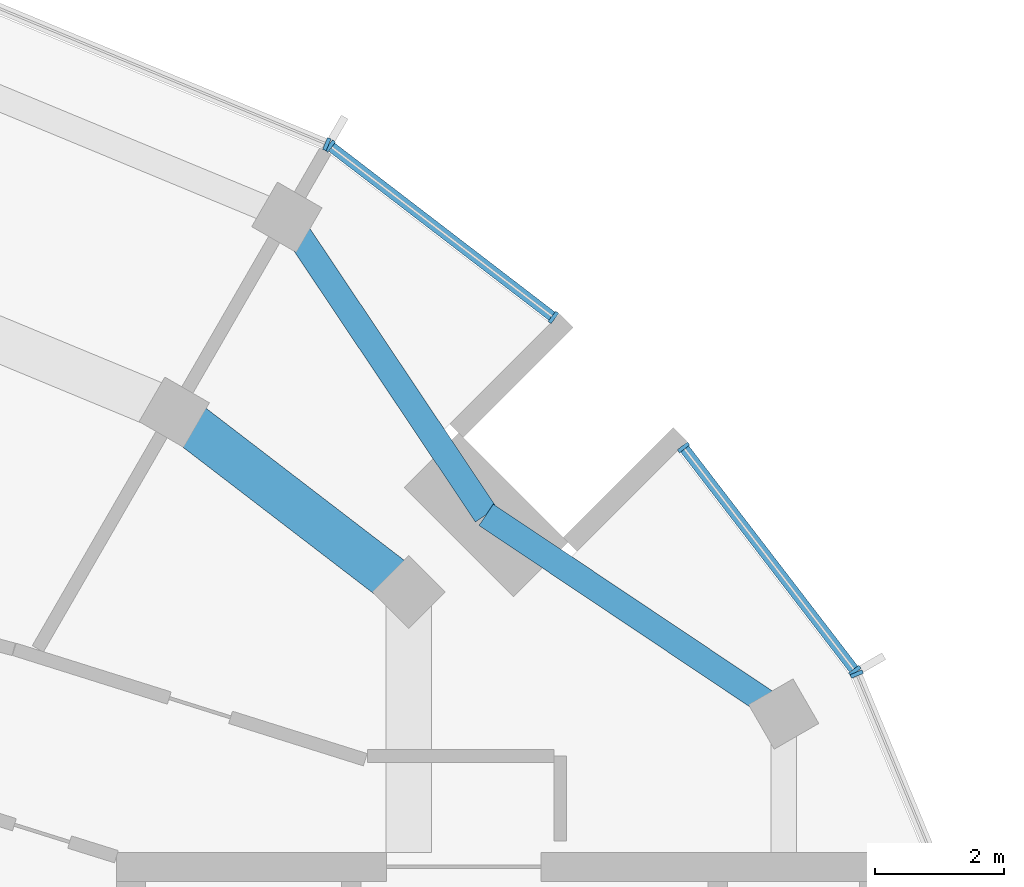
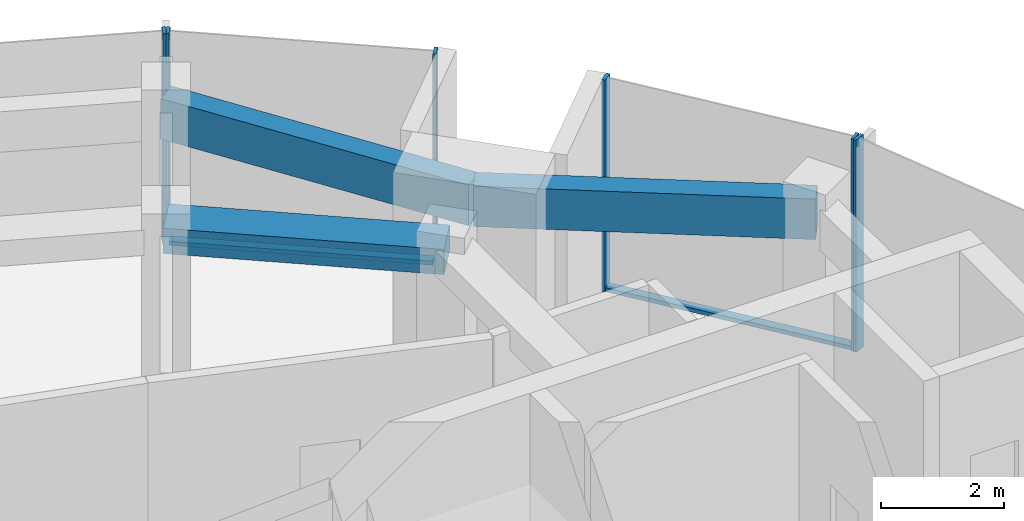
# One storey, part 6 of 13: 8 members, 3 beams, 4 elements without a shape of their own.
"""IFC4 building model written with IfcOpenShell, lengths in metres."""

from ifc_helpers import new_model, si_unit, direction, frame, origin, origin_2d, place, context, subcontext, project, spatial, rectangle, extrude, material, layer, layer_set, material_profile, profile_set, type_object, element, aggregate, save


model = new_model("IFC4")

# Units and contexts
model_context = context("Model", 3, precision=1e-05, world=origin(), true_north=direction((0.0, 1.0)))
body_context = subcontext(model_context, "Body", "Model", "MODEL_VIEW")
ifc_project = project(units=[si_unit("LENGTHUNIT", "METRE"), si_unit("AREAUNIT", "SQUARE_METRE"), si_unit("VOLUMEUNIT", "CUBIC_METRE"), si_unit("PLANEANGLEUNIT", "RADIAN"), si_unit("MASSUNIT", "GRAM", prefix="KILO")], contexts=[model_context])

# Site, building, storey
site_placement = place(None, origin())
site = spatial("IfcSite", under=ifc_project, at=site_placement, CompositionType="ELEMENT")
building_placement = place(site_placement, origin())
building = spatial("IfcBuilding", under=site, at=building_placement, Name="Torre Brocal", CompositionType="ELEMENT")
storey_placement = place(building_placement, frame((0.0, 0.0, 300.89990234375)))
storey = spatial("IfcBuildingStorey", under=building, at=storey_placement, Name="L69", CompositionType="ELEMENT", Elevation=300.89990234375)

# Curtain wall, member
ifc_material_1 = material(Name="Aluminium and glass", Category="aluminium")
ifc_layer = layer(ifc_material_1, 0.199951171875)
ifc_layer_set = layer_set([ifc_layer], Name="Aluminium and glass")
curtain_wall_type = type_object("IfcCurtainWallType", Name="CW-1 CURTAIN WALL 4200 HIGH", PredefinedType="NOTDEFINED", material=ifc_layer_set)
curtain_wall_1_placement = place(storey_placement, origin())
curtain_wall_1 = element("IfcCurtainWall", 1, at=curtain_wall_1_placement, inside=storey, type_object=curtain_wall_type, Name="CW-1 RUN 2", PredefinedType="NOTDEFINED")
ifc_material_2 = material(Name="Aluminium, dark anodised", Category="aluminium")
ifc_material_profile_1 = material_profile(ifc_material_2, rectangle(XDim=0.199951171875, YDim=0.06005859375, at=origin_2d()), Name="CW-1 MULLION 60X200")
ifc_profile_set_1 = profile_set([ifc_material_profile_1], Name="Aluminium, dark anodised")
member_type_1 = type_object("IfcMemberType", Name="CW-1 MULLION 60X200", PredefinedType="MULLION", material=ifc_profile_set_1)
member_1_placement = place(storey_placement, frame((99.40966796875, 86.171875, 0.0), z_axis=(0.0, 0.0, 1.0), x_axis=(-0.923879532545, -0.382683432284, 0.0)))
member_1 = element("IfcMember", 2, at=member_1_placement, type_object=member_type_1, Name="CW1-5 mullion 2", PredefinedType="MULLION", context=body_context, shape_type="SweptSolid", body=[
    extrude(rectangle(XDim=0.199951171875, YDim=0.06005859375, at=origin_2d()), origin(), (0.0, 0.0, 1.0), 4.2001953125),
])
aggregate(curtain_wall_1, [member_1])

# Curtain wall, members
curtain_wall_2_placement = place(storey_placement, origin())
curtain_wall_2 = element("IfcCurtainWall", 3, at=curtain_wall_2_placement, inside=storey, type_object=curtain_wall_type, Name="CW-1 RUN 3", PredefinedType="NOTDEFINED")
member_2_placement = place(storey_placement, frame((99.3798828125, 86.223388671875, 0.0), z_axis=(0.0, 0.0, 1.0), x_axis=(-0.793353340249, -0.608761429064, 0.0)))
member_2 = element("IfcMember", 4, at=member_2_placement, type_object=member_type_1, Name="CW1-5 mullion 1", PredefinedType="MULLION", context=body_context, shape_type="SweptSolid", body=[
    extrude(rectangle(XDim=0.199951171875, YDim=0.06005859375, at=origin_2d()), origin(), (0.0, 0.0, 1.0), 4.2001953125),
])
member_3_placement = place(storey_placement, frame((96.716552734375, 89.694580078125, 0.0), z_axis=(0.0, 0.0, 1.0), x_axis=(-0.793353340249, -0.608761429064, 0.0)))
member_3 = element("IfcMember", 5, at=member_3_placement, type_object=member_type_1, Name="CW1-5 mullion 2", PredefinedType="MULLION", context=body_context, shape_type="SweptSolid", body=[
    extrude(rectangle(XDim=0.199951171875, YDim=0.06005859375, at=origin_2d()), origin(), (0.0, 0.0, 1.0), 4.2001953125),
])

curtain_wall_3_placement = place(storey_placement, origin())
curtain_wall_3 = element("IfcCurtainWall", 6, at=curtain_wall_3_placement, inside=storey, type_object=curtain_wall_type, Name="CW-1 RUN 4", PredefinedType="NOTDEFINED")
member_4_placement = place(storey_placement, frame((94.694580078125, 91.716552734375, 0.0), z_axis=(0.0, 0.0, 1.0), x_axis=(-0.608761429064, -0.793353340249, 0.0)))
member_4 = element("IfcMember", 7, at=member_4_placement, type_object=member_type_1, Name="CW1-5 mullion 1", PredefinedType="MULLION", context=body_context, shape_type="SweptSolid", body=[
    extrude(rectangle(XDim=0.199951171875, YDim=0.06005859375, at=origin_2d()), origin(), (0.0, 0.0, 1.0), 4.2001953125),
])
member_5_placement = place(storey_placement, frame((91.223388671875, 94.3798828125, 0.0), z_axis=(0.0, 0.0, 1.0), x_axis=(-0.608761429064, -0.793353340249, 0.0)))
member_5 = element("IfcMember", 8, at=member_5_placement, type_object=member_type_1, Name="CW1-5 mullion 2", PredefinedType="MULLION", context=body_context, shape_type="SweptSolid", body=[
    extrude(rectangle(XDim=0.199951171875, YDim=0.06005859375, at=origin_2d()), origin(), (0.0, 0.0, 1.0), 4.2001953125),
])

# Curtain wall, member
curtain_wall_4_placement = place(storey_placement, origin())
curtain_wall_4 = element("IfcCurtainWall", 9, at=curtain_wall_4_placement, inside=storey, type_object=curtain_wall_type, Name="CW-1 RUN 5", PredefinedType="NOTDEFINED")
member_6_placement = place(storey_placement, frame((91.171875, 94.40966796875, 0.0), z_axis=(0.0, 0.0, 1.0), x_axis=(-0.382683432284, -0.923879532545, 0.0)))
member_6 = element("IfcMember", 10, at=member_6_placement, type_object=member_type_1, Name="CW1-5 mullion 1", PredefinedType="MULLION", context=body_context, shape_type="SweptSolid", body=[
    extrude(rectangle(XDim=0.199951171875, YDim=0.06005859375, at=origin_2d()), origin(), (0.0, 0.0, 1.0), 4.2001953125),
])
aggregate(curtain_wall_4, [member_6])

# Member
ifc_material_3 = material(Name="Aluminium, dark anodised", Category="aluminium")
ifc_material_profile_2 = material_profile(ifc_material_3, rectangle(XDim=0.159912109375, YDim=0.080078125, at=origin_2d()), Name="CW-1 TRANSOM 160X80")
ifc_profile_set_2 = profile_set([ifc_material_profile_2], Name="Aluminium, dark anodised")
member_type_2 = type_object("IfcMemberType", Name="CW-1 TRANSOM 160X80", PredefinedType="USERDEFINED", material=ifc_profile_set_2)
member_7_placement = place(storey_placement, frame((99.36181640625, 86.2470703125, 0.0400390625), z_axis=(-0.608788976677, 0.793332201462, 0.0), x_axis=(-0.793332201462, -0.608788976677, 0.0)))
member_7 = element("IfcMember", 11, at=member_7_placement, type_object=member_type_2, Name="CW1-5 transom 1.1", ObjectType="TRANSOM", PredefinedType="USERDEFINED", context=body_context, shape_type="SweptSolid", body=[
    extrude(rectangle(XDim=0.159912109375, YDim=0.080078125, at=origin_2d()), origin(), (0.0, 0.0, 1.0), 4.3154296875),
])

aggregate(curtain_wall_2, [member_2, member_3, member_7])

member_8_placement = place(storey_placement, frame((94.670654296875, 91.734619140625, 0.0400390625), z_axis=(-0.793332201462, 0.608788976677, 0.0), x_axis=(-0.608788976677, -0.793332201462, 0.0)))
member_8 = element("IfcMember", 12, at=member_8_placement, type_object=member_type_2, Name="CW1-5 transom 1.1", ObjectType="TRANSOM", PredefinedType="USERDEFINED", context=body_context, shape_type="SweptSolid", body=[
    extrude(rectangle(XDim=0.159912109375, YDim=0.080078125, at=origin_2d()), origin(), (0.0, 0.0, 1.0), 4.3154296875),
])

aggregate(curtain_wall_3, [member_4, member_5, member_8])

# Beams
ifc_material_4 = material(Name="Concrete C50", Category="concrete")
ifc_material_profile_3 = material_profile(ifc_material_4, rectangle(XDim=0.699951171875, YDim=0.5, at=origin_2d()), Name="RC 700X500")
ifc_profile_set_3 = profile_set([ifc_material_profile_3], Name="Concrete C50")
beam_type_1 = type_object("IfcBeamType", Name="RC BEAM 700X500 C50 TOP 3880", PredefinedType="BEAM", material=ifc_profile_set_3)
beam_placement = place(storey_placement, frame((92.445068359375, 87.445068359375, 3.630126953125), z_axis=(-0.793358265959, 0.6087550097, 0.0), x_axis=(-0.6087550097, -0.793358265959, 0.0)))
element("IfcBeam", 13, at=beam_placement, inside=storey, type_object=beam_type_1, Name="Beam BT-37", PredefinedType="BEAM", context=body_context, shape_type="SweptSolid", body=[
    extrude(rectangle(XDim=0.699951171875, YDim=0.5, at=origin_2d()), origin(), (0.0, 0.0, 1.0), 4.594482421875),
])
ifc_material_5 = material(Name="Concrete C50", Category="concrete")
ifc_material_profile_4 = material_profile(ifc_material_5, rectangle(XDim=0.39990234375, YDim=0.800048828125, at=origin_2d()), Name="RC 400X800")
ifc_profile_set_4 = profile_set([ifc_material_profile_4], Name="Concrete C50")
beam_type_2 = type_object("IfcBeamType", Name="RC SPANDREL BEAM 400X800 C50 TOP 3880", PredefinedType="SPANDREL", material=ifc_profile_set_4)
for number, where, z_axis, x_axis, name in (
    (14, (98.273193359375, 85.550048828125, 3.47998046875), (-0.830955689206, 0.556338604247, 0.0), (-0.556338604247, -0.830955689206, 0.0), "Beam BT-47"),
    (15, (93.647216796875, 88.647216796875, 3.47998046875), (-0.556338604247, 0.830955689206, 0.0), (-0.830955689206, -0.556338604247, 0.0), "Beam BT-47"),
):
    element("IfcBeam", number, at=place(storey_placement, frame(where, z_axis=z_axis, x_axis=x_axis)), inside=storey, type_object=beam_type_2, Name=name, PredefinedType="SPANDREL", context=body_context, shape_type="SweptSolid", body=[
        extrude(rectangle(XDim=0.39990234375, YDim=0.800048828125, at=origin_2d()), origin(), (0.0, 0.0, 1.0), 5.567138671875),
    ])

save(model, "model.ifc")
